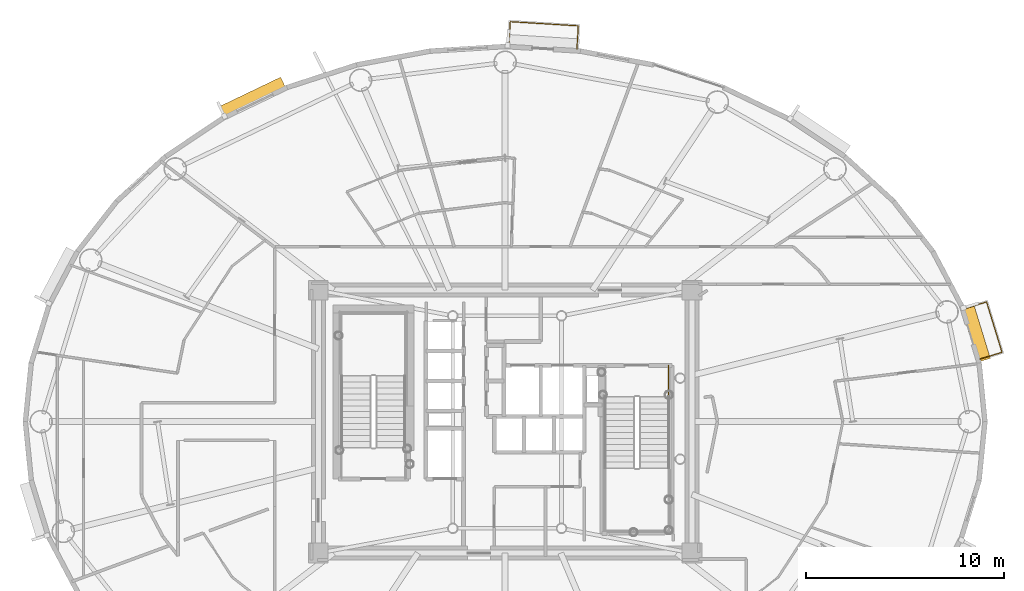
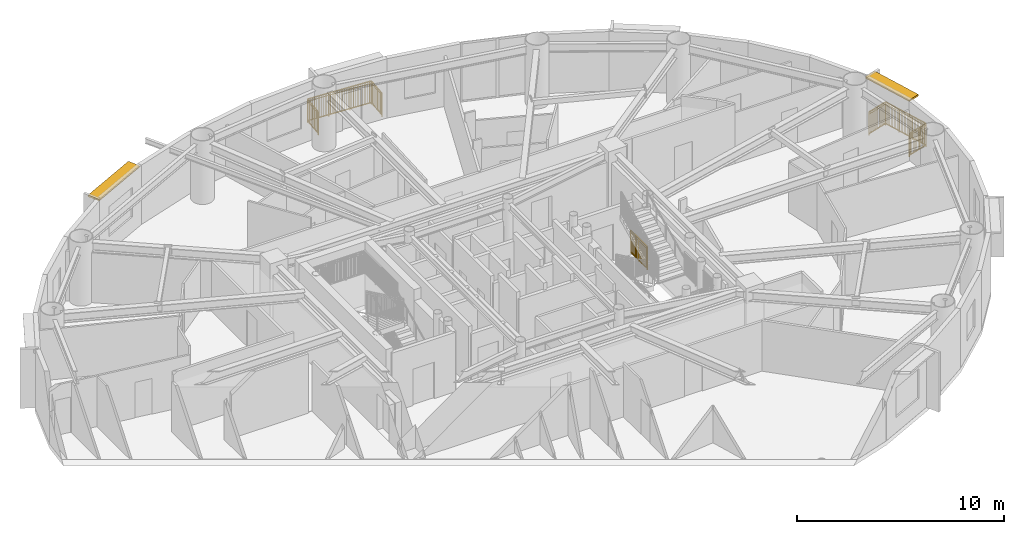
# One storey, part 21 of 22: 3 railings, 2 shading devices.
"""IFC4 building model written with IfcOpenShell, lengths in metres."""

from ifc_helpers import new_model, si_unit, direction, frame, origin, origin_2d, place, context, subcontext, project, spatial, rectangle, extrude, source, transform, mapped, material, layer, layer_set, type_object, element, save


model = new_model("IFC4")

# Units and contexts
model_context = context("Model", 3, precision=1e-05, world=origin(), true_north=direction((0.0, 1.0)))
body_context = subcontext(model_context, "Body", "Model", "MODEL_VIEW")
ifc_project = project(units=[si_unit("LENGTHUNIT", "METRE"), si_unit("AREAUNIT", "SQUARE_METRE"), si_unit("VOLUMEUNIT", "CUBIC_METRE"), si_unit("PLANEANGLEUNIT", "RADIAN"), si_unit("MASSUNIT", "GRAM", prefix="KILO")], contexts=[model_context])

# Site, building, storey
site_placement = place(None, origin())
site = spatial("IfcSite", under=ifc_project, at=site_placement, CompositionType="ELEMENT")
building_placement = place(site_placement, origin())
building = spatial("IfcBuilding", under=site, at=building_placement, Name="Linh Dai School and Residence Tower", CompositionType="ELEMENT")
storey_placement = place(building_placement, frame((0.0, 0.0, 214.050048828125)))
storey = spatial("IfcBuildingStorey", under=building, at=storey_placement, Name="L52", CompositionType="ELEMENT", Elevation=214.050048828125)

# Railing
ifc_material_1 = material(Name="Structural Steel S355JR", Category="steel")
railing_type_1 = type_object("IfcRailingType", Name="RL-BAL-1400", PredefinedType="BALUSTRADE", material=ifc_material_1)
shared_shape_1 = source(origin(), body_context, "Body", "SweptSolid", [
    extrude(rectangle(XDim=0.048095703125, YDim=0.048095703125, at=origin_2d()), frame((0.0, 0.0, 1.3759765625), z_axis=(0.95606039398, 0.293169785386, 0.0), x_axis=(-0.293169785386, 0.95606039398, 0.0)), (0.0, 0.0, 1.0), 1.179931640625),
    extrude(rectangle(XDim=0.048095703125, YDim=0.048095703125, at=origin_2d()), frame((0.0, 0.0, 0.10009765625), z_axis=(0.95606039398, 0.293169785386, 0.0), x_axis=(-0.293169785386, 0.95606039398, 0.0)), (0.0, 0.0, 1.0), 1.179931640625),
    extrude(rectangle(XDim=0.030029296875, YDim=0.030029296875, at=origin_2d()), frame((0.0, 0.0, 1.239990234375), z_axis=(0.95606039398, 0.293169785386, 0.0), x_axis=(-0.293169785386, 0.95606039398, 0.0)), (0.0, 0.0, 1.0), 1.179931640625),
    extrude(rectangle(XDim=0.02001953125, YDim=0.02001953125, at=origin_2d()), frame((0.086669921875, 0.026611328125, 0.10009765625)), (0.0, 0.0, 1.0), 1.251708984375),
    extrude(rectangle(XDim=0.02001953125, YDim=0.02001953125, at=origin_2d()), frame((0.173583984375, 0.05322265625, 0.10009765625)), (0.0, 0.0, 1.0), 1.251708984375),
    extrude(rectangle(XDim=0.02001953125, YDim=0.02001953125, at=origin_2d()), frame((0.26025390625, 0.079833984375, 0.10009765625)), (0.0, 0.0, 1.0), 1.251708984375),
    extrude(rectangle(XDim=0.02001953125, YDim=0.02001953125, at=origin_2d()), frame((0.34716796875, 0.1064453125, 0.10009765625)), (0.0, 0.0, 1.0), 1.251708984375),
    extrude(rectangle(XDim=0.02001953125, YDim=0.02001953125, at=origin_2d()), frame((0.433837890625, 0.133056640625, 0.10009765625)), (0.0, 0.0, 1.0), 1.251708984375),
    extrude(rectangle(XDim=0.02001953125, YDim=0.02001953125, at=origin_2d()), frame((0.520751953125, 0.15966796875, 0.10009765625)), (0.0, 0.0, 1.0), 1.251708984375),
    extrude(rectangle(XDim=0.02001953125, YDim=0.02001953125, at=origin_2d()), frame((0.607421875, 0.186279296875, 0.10009765625)), (0.0, 0.0, 1.0), 1.251708984375),
    extrude(rectangle(XDim=0.02001953125, YDim=0.02001953125, at=origin_2d()), frame((0.6943359375, 0.212890625, 0.10009765625)), (0.0, 0.0, 1.0), 1.251708984375),
    extrude(rectangle(XDim=0.02001953125, YDim=0.02001953125, at=origin_2d()), frame((0.781005859375, 0.239501953125, 0.10009765625)), (0.0, 0.0, 1.0), 1.251708984375),
    extrude(rectangle(XDim=0.02001953125, YDim=0.02001953125, at=origin_2d()), frame((0.867919921875, 0.26611328125, 0.10009765625)), (0.0, 0.0, 1.0), 1.251708984375),
    extrude(rectangle(XDim=0.02001953125, YDim=0.02001953125, at=origin_2d()), frame((0.95458984375, 0.292724609375, 0.10009765625)), (0.0, 0.0, 1.0), 1.251708984375),
    extrude(rectangle(XDim=0.02001953125, YDim=0.02001953125, at=origin_2d()), frame((1.04150390625, 0.3193359375, 0.10009765625)), (0.0, 0.0, 1.0), 1.251708984375),
    extrude(rectangle(XDim=0.048095703125, YDim=0.048095703125, at=origin_2d()), frame((1.128173828125, 0.345947265625, 1.3759765625), z_axis=(0.293158695178, -0.95606379465, 0.0), x_axis=(0.95606379465, 0.293158695178, 0.0)), (0.0, 0.0, 1.0), 2.6650390625),
    extrude(rectangle(XDim=0.048095703125, YDim=0.048095703125, at=origin_2d()), frame((1.128173828125, 0.345947265625, 0.10009765625), z_axis=(0.293158695178, -0.95606379465, 0.0), x_axis=(0.95606379465, 0.293158695178, 0.0)), (0.0, 0.0, 1.0), 2.6650390625),
    extrude(rectangle(XDim=0.030029296875, YDim=0.030029296875, at=origin_2d()), frame((1.128173828125, 0.345947265625, 1.239990234375), z_axis=(0.293158695178, -0.95606379465, 0.0), x_axis=(0.95606379465, 0.293158695178, 0.0)), (0.0, 0.0, 1.0), 2.6650390625),
    extrude(rectangle(XDim=0.02001953125, YDim=0.02001953125, at=origin_2d()), frame((1.156005859375, 0.2548828125, 0.10009765625)), (0.0, 0.0, 1.0), 1.251708984375),
    extrude(rectangle(XDim=0.02001953125, YDim=0.02001953125, at=origin_2d()), frame((1.18408203125, 0.1640625, 0.10009765625)), (0.0, 0.0, 1.0), 1.251708984375),
    extrude(rectangle(XDim=0.02001953125, YDim=0.02001953125, at=origin_2d()), frame((1.2119140625, 0.072998046875, 0.10009765625)), (0.0, 0.0, 1.0), 1.251708984375),
    extrude(rectangle(XDim=0.02001953125, YDim=0.02001953125, at=origin_2d()), frame((1.23974609375, -0.01806640625, 0.10009765625)), (0.0, 0.0, 1.0), 1.251708984375),
    extrude(rectangle(XDim=0.02001953125, YDim=0.02001953125, at=origin_2d()), frame((1.267578125, -0.109130859375, 0.10009765625)), (0.0, 0.0, 1.0), 1.251708984375),
    extrude(rectangle(XDim=0.02001953125, YDim=0.02001953125, at=origin_2d()), frame((1.295654296875, -0.199951171875, 0.10009765625)), (0.0, 0.0, 1.0), 1.251708984375),
    extrude(rectangle(XDim=0.02001953125, YDim=0.02001953125, at=origin_2d()), frame((1.323486328125, -0.291015625, 0.10009765625)), (0.0, 0.0, 1.0), 1.251708984375),
    extrude(rectangle(XDim=0.02001953125, YDim=0.02001953125, at=origin_2d()), frame((1.351318359375, -0.382080078125, 0.10009765625)), (0.0, 0.0, 1.0), 1.251708984375),
    extrude(rectangle(XDim=0.02001953125, YDim=0.02001953125, at=origin_2d()), frame((1.4072265625, -0.56396484375, 0.10009765625)), (0.0, 0.0, 1.0), 1.251708984375),
    extrude(rectangle(XDim=0.02001953125, YDim=0.02001953125, at=origin_2d()), frame((1.43505859375, -0.655029296875, 0.10009765625)), (0.0, 0.0, 1.0), 1.251708984375),
    extrude(rectangle(XDim=0.02001953125, YDim=0.02001953125, at=origin_2d()), frame((1.462890625, -0.74609375, 0.10009765625)), (0.0, 0.0, 1.0), 1.251708984375),
    extrude(rectangle(XDim=0.02001953125, YDim=0.02001953125, at=origin_2d()), frame((1.490966796875, -0.8369140625, 0.10009765625)), (0.0, 0.0, 1.0), 1.251708984375),
    extrude(rectangle(XDim=0.02001953125, YDim=0.02001953125, at=origin_2d()), frame((1.518798828125, -0.927978515625, 0.10009765625)), (0.0, 0.0, 1.0), 1.251708984375),
    extrude(rectangle(XDim=0.02001953125, YDim=0.02001953125, at=origin_2d()), frame((1.546630859375, -1.01904296875, 0.10009765625)), (0.0, 0.0, 1.0), 1.251708984375),
    extrude(rectangle(XDim=0.02001953125, YDim=0.02001953125, at=origin_2d()), frame((1.57470703125, -1.10986328125, 0.10009765625)), (0.0, 0.0, 1.0), 1.251708984375),
    extrude(rectangle(XDim=0.02001953125, YDim=0.02001953125, at=origin_2d()), frame((1.6025390625, -1.200927734375, 0.10009765625)), (0.0, 0.0, 1.0), 1.251708984375),
    extrude(rectangle(XDim=0.02001953125, YDim=0.02001953125, at=origin_2d()), frame((1.63037109375, -1.2919921875, 0.10009765625)), (0.0, 0.0, 1.0), 1.251708984375),
    extrude(rectangle(XDim=0.02001953125, YDim=0.02001953125, at=origin_2d()), frame((1.686279296875, -1.473876953125, 0.10009765625)), (0.0, 0.0, 1.0), 1.251708984375),
    extrude(rectangle(XDim=0.02001953125, YDim=0.02001953125, at=origin_2d()), frame((1.714111328125, -1.56494140625, 0.10009765625)), (0.0, 0.0, 1.0), 1.251708984375),
    extrude(rectangle(XDim=0.02001953125, YDim=0.02001953125, at=origin_2d()), frame((1.741943359375, -1.656005859375, 0.10009765625)), (0.0, 0.0, 1.0), 1.251708984375),
    extrude(rectangle(XDim=0.02001953125, YDim=0.02001953125, at=origin_2d()), frame((1.77001953125, -1.746826171875, 0.10009765625)), (0.0, 0.0, 1.0), 1.251708984375),
    extrude(rectangle(XDim=0.02001953125, YDim=0.02001953125, at=origin_2d()), frame((1.7978515625, -1.837890625, 0.10009765625)), (0.0, 0.0, 1.0), 1.251708984375),
    extrude(rectangle(XDim=0.02001953125, YDim=0.02001953125, at=origin_2d()), frame((1.82568359375, -1.928955078125, 0.10009765625)), (0.0, 0.0, 1.0), 1.251708984375),
    extrude(rectangle(XDim=0.02001953125, YDim=0.02001953125, at=origin_2d()), frame((1.853515625, -2.02001953125, 0.10009765625)), (0.0, 0.0, 1.0), 1.251708984375),
    extrude(rectangle(XDim=0.02001953125, YDim=0.02001953125, at=origin_2d()), frame((1.881591796875, -2.11083984375, 0.10009765625)), (0.0, 0.0, 1.0), 1.251708984375),
    extrude(rectangle(XDim=0.048095703125, YDim=0.048095703125, at=origin_2d()), frame((1.909423828125, -2.201904296875, 1.3759765625), z_axis=(-0.95606039398, -0.293169785386, 0.0), x_axis=(0.293169785386, -0.95606039398, 0.0)), (0.0, 0.0, 1.0), 1.179931640625),
    extrude(rectangle(XDim=0.048095703125, YDim=0.048095703125, at=origin_2d()), frame((1.909423828125, -2.201904296875, 0.10009765625), z_axis=(-0.95606039398, -0.293169785386, 0.0), x_axis=(0.293169785386, -0.95606039398, 0.0)), (0.0, 0.0, 1.0), 1.179931640625),
    extrude(rectangle(XDim=0.030029296875, YDim=0.030029296875, at=origin_2d()), frame((1.909423828125, -2.201904296875, 1.239990234375), z_axis=(-0.95606039398, -0.293169785386, 0.0), x_axis=(0.293169785386, -0.95606039398, 0.0)), (0.0, 0.0, 1.0), 1.179931640625),
    extrude(rectangle(XDim=0.02001953125, YDim=0.02001953125, at=origin_2d()), frame((1.82275390625, -2.228515625, 0.10009765625)), (0.0, 0.0, 1.0), 1.251708984375),
    extrude(rectangle(XDim=0.02001953125, YDim=0.02001953125, at=origin_2d()), frame((1.73583984375, -2.255126953125, 0.10009765625)), (0.0, 0.0, 1.0), 1.251708984375),
    extrude(rectangle(XDim=0.02001953125, YDim=0.02001953125, at=origin_2d()), frame((1.649169921875, -2.28173828125, 0.10009765625)), (0.0, 0.0, 1.0), 1.251708984375),
    extrude(rectangle(XDim=0.02001953125, YDim=0.02001953125, at=origin_2d()), frame((1.562255859375, -2.308349609375, 0.10009765625)), (0.0, 0.0, 1.0), 1.251708984375),
    extrude(rectangle(XDim=0.02001953125, YDim=0.02001953125, at=origin_2d()), frame((1.4755859375, -2.3349609375, 0.10009765625)), (0.0, 0.0, 1.0), 1.251708984375),
    extrude(rectangle(XDim=0.02001953125, YDim=0.02001953125, at=origin_2d()), frame((1.388671875, -2.361572265625, 0.10009765625)), (0.0, 0.0, 1.0), 1.251708984375),
    extrude(rectangle(XDim=0.02001953125, YDim=0.02001953125, at=origin_2d()), frame((1.302001953125, -2.38818359375, 0.10009765625)), (0.0, 0.0, 1.0), 1.251708984375),
    extrude(rectangle(XDim=0.02001953125, YDim=0.02001953125, at=origin_2d()), frame((1.215087890625, -2.414794921875, 0.10009765625)), (0.0, 0.0, 1.0), 1.251708984375),
    extrude(rectangle(XDim=0.02001953125, YDim=0.02001953125, at=origin_2d()), frame((1.12841796875, -2.44140625, 0.10009765625)), (0.0, 0.0, 1.0), 1.251708984375),
    extrude(rectangle(XDim=0.02001953125, YDim=0.02001953125, at=origin_2d()), frame((1.04150390625, -2.468017578125, 0.10009765625)), (0.0, 0.0, 1.0), 1.251708984375),
    extrude(rectangle(XDim=0.02001953125, YDim=0.02001953125, at=origin_2d()), frame((0.954833984375, -2.49462890625, 0.10009765625)), (0.0, 0.0, 1.0), 1.251708984375),
    extrude(rectangle(XDim=0.02001953125, YDim=0.02001953125, at=origin_2d()), frame((0.867919921875, -2.521240234375, 0.10009765625)), (0.0, 0.0, 1.0), 1.251708984375),
    extrude(rectangle(XDim=0.0419921875, YDim=0.0419921875, at=origin_2d()), origin(), (0.0, 0.0, 1.0), 1.3759765625),
    extrude(rectangle(XDim=0.0419921875, YDim=0.0419921875, at=origin_2d()), frame((1.128173828125, 0.345947265625, 0.0)), (0.0, 0.0, 1.0), 1.3759765625),
    extrude(rectangle(XDim=0.0419921875, YDim=0.0419921875, at=origin_2d()), frame((1.388671875, -0.50341796875, 0.0)), (0.0, 0.0, 1.0), 1.3759765625),
    extrude(rectangle(XDim=0.0419921875, YDim=0.0419921875, at=origin_2d()), frame((1.64892578125, -1.3525390625, 0.0)), (0.0, 0.0, 1.0), 1.3759765625),
    extrude(rectangle(XDim=0.0419921875, YDim=0.0419921875, at=origin_2d()), frame((1.909423828125, -2.201904296875, 0.0)), (0.0, 0.0, 1.0), 1.3759765625),
    extrude(rectangle(XDim=0.0419921875, YDim=0.0419921875, at=origin_2d()), frame((0.78125, -2.5478515625, 0.0)), (0.0, 0.0, 1.0), 1.3759765625),
])
railing_1_placement = place(storey_placement, frame((59.224365234375, 32.708740234375, 0.0)))
element("IfcRailing", 1, at=railing_1_placement, inside=storey, type_object=railing_type_1, Name="L52 Balcony Safety Balustrade 02", PredefinedType="BALUSTRADE", context=body_context, shape_type="MappedRepresentation", body=[
    mapped(shared_shape_1, transform((0.0, 0.0, 0.0), x_axis=(1.0, 0.0, 0.0), y_axis=(0.0, 1.0, 0.0), z_axis=(0.0, 0.0, 1.0), scale=1.0)),
])

# Shading device
ifc_material_2 = material(Name="Terracotta Ceramic Sunshade", Category="masonry")
ifc_layer = layer(ifc_material_2, 0.10009765625)
ifc_layer_set = layer_set([ifc_layer], Name="Terracotta Ceramic Sunshade")
shading_device_type = type_object("IfcShadingDeviceType", Name="SHD-TC-650", PredefinedType="USERDEFINED", material=ifc_layer_set)
shared_shape_2 = source(origin(), body_context, "Body", "SweptSolid", [
    extrude(rectangle(XDim=2.90380859375, YDim=0.64990234375, at=origin_2d()), origin(), (0.0, 0.0, 1.0), 0.10009765625),
])
shading_device_1_placement = place(storey_placement, frame((59.80615234375, 31.493408203125, 3.3798828125), z_axis=(0.0, 0.0, 1.0), x_axis=(0.2931574026, -0.956064190994, 0.0)))
element("IfcShadingDevice", 2, at=shading_device_1_placement, inside=storey, type_object=shading_device_type, Name="L52 Terracotta Horizontal Sunshade Band 02", ObjectType="SUNSHADE", PredefinedType="USERDEFINED", context=body_context, shape_type="MappedRepresentation", body=[
    mapped(shared_shape_2, transform((0.0, 0.0, 0.0), x_axis=(1.0, 0.0, 0.0), y_axis=(0.0, 1.0, 0.0), z_axis=(0.0, 0.0, 1.0), scale=1.0)),
])

# Railing
shared_shape_3 = source(origin(), body_context, "Body", "SweptSolid", [
    extrude(rectangle(XDim=0.048095703125, YDim=0.048095703125, at=origin_2d()), frame((0.0, 0.0, 1.3759765625), z_axis=(0.061656929038, 0.99809740161, 0.0), x_axis=(-0.99809740161, 0.061656929038, 0.0)), (0.0, 0.0, 1.0), 1.179931640625),
    extrude(rectangle(XDim=0.048095703125, YDim=0.048095703125, at=origin_2d()), frame((0.0, 0.0, 0.10009765625), z_axis=(0.061656929038, 0.99809740161, 0.0), x_axis=(-0.99809740161, 0.061656929038, 0.0)), (0.0, 0.0, 1.0), 1.179931640625),
    extrude(rectangle(XDim=0.030029296875, YDim=0.030029296875, at=origin_2d()), frame((0.0, 0.0, 1.239990234375), z_axis=(0.061656929038, 0.99809740161, 0.0), x_axis=(-0.99809740161, 0.061656929038, 0.0)), (0.0, 0.0, 1.0), 1.179931640625),
    extrude(rectangle(XDim=0.02001953125, YDim=0.02001953125, at=origin_2d()), frame((0.005615234375, 0.090576171875, 0.10009765625)), (0.0, 0.0, 1.0), 1.251708984375),
    extrude(rectangle(XDim=0.02001953125, YDim=0.02001953125, at=origin_2d()), frame((0.01123046875, 0.18115234375, 0.10009765625)), (0.0, 0.0, 1.0), 1.251708984375),
    extrude(rectangle(XDim=0.02001953125, YDim=0.02001953125, at=origin_2d()), frame((0.016845703125, 0.271728515625, 0.10009765625)), (0.0, 0.0, 1.0), 1.251708984375),
    extrude(rectangle(XDim=0.02001953125, YDim=0.02001953125, at=origin_2d()), frame((0.0224609375, 0.3623046875, 0.10009765625)), (0.0, 0.0, 1.0), 1.251708984375),
    extrude(rectangle(XDim=0.02001953125, YDim=0.02001953125, at=origin_2d()), frame((0.028076171875, 0.452880859375, 0.10009765625)), (0.0, 0.0, 1.0), 1.251708984375),
    extrude(rectangle(XDim=0.02001953125, YDim=0.02001953125, at=origin_2d()), frame((0.03369140625, 0.54345703125, 0.10009765625)), (0.0, 0.0, 1.0), 1.251708984375),
    extrude(rectangle(XDim=0.02001953125, YDim=0.02001953125, at=origin_2d()), frame((0.0390625, 0.63427734375, 0.10009765625)), (0.0, 0.0, 1.0), 1.251708984375),
    extrude(rectangle(XDim=0.02001953125, YDim=0.02001953125, at=origin_2d()), frame((0.044677734375, 0.724853515625, 0.10009765625)), (0.0, 0.0, 1.0), 1.251708984375),
    extrude(rectangle(XDim=0.02001953125, YDim=0.02001953125, at=origin_2d()), frame((0.05029296875, 0.8154296875, 0.10009765625)), (0.0, 0.0, 1.0), 1.251708984375),
    extrude(rectangle(XDim=0.02001953125, YDim=0.02001953125, at=origin_2d()), frame((0.055908203125, 0.906005859375, 0.10009765625)), (0.0, 0.0, 1.0), 1.251708984375),
    extrude(rectangle(XDim=0.02001953125, YDim=0.02001953125, at=origin_2d()), frame((0.0615234375, 0.99658203125, 0.10009765625)), (0.0, 0.0, 1.0), 1.251708984375),
    extrude(rectangle(XDim=0.02001953125, YDim=0.02001953125, at=origin_2d()), frame((0.067138671875, 1.087158203125, 0.10009765625)), (0.0, 0.0, 1.0), 1.251708984375),
    extrude(rectangle(XDim=0.048095703125, YDim=0.048095703125, at=origin_2d()), frame((0.07275390625, 1.177734375, 1.3759765625), z_axis=(0.998110267101, -0.061448309231, 0.0), x_axis=(0.061448309231, 0.998110267101, 0.0)), (0.0, 0.0, 1.0), 3.44873046875),
    extrude(rectangle(XDim=0.048095703125, YDim=0.048095703125, at=origin_2d()), frame((0.07275390625, 1.177734375, 0.10009765625), z_axis=(0.998110267101, -0.061448309231, 0.0), x_axis=(0.061448309231, 0.998110267101, 0.0)), (0.0, 0.0, 1.0), 3.44873046875),
    extrude(rectangle(XDim=0.030029296875, YDim=0.030029296875, at=origin_2d()), frame((0.07275390625, 1.177734375, 1.239990234375), z_axis=(0.998110267101, -0.061448309231, 0.0), x_axis=(0.061448309231, 0.998110267101, 0.0)), (0.0, 0.0, 1.0), 3.44873046875),
    extrude(rectangle(XDim=0.02001953125, YDim=0.02001953125, at=origin_2d()), frame((0.16845703125, 1.171875, 0.10009765625)), (0.0, 0.0, 1.0), 1.251708984375),
    extrude(rectangle(XDim=0.02001953125, YDim=0.02001953125, at=origin_2d()), frame((0.263916015625, 1.166015625, 0.10009765625)), (0.0, 0.0, 1.0), 1.251708984375),
    extrude(rectangle(XDim=0.02001953125, YDim=0.02001953125, at=origin_2d()), frame((0.359619140625, 1.16015625, 0.10009765625)), (0.0, 0.0, 1.0), 1.251708984375),
    extrude(rectangle(XDim=0.02001953125, YDim=0.02001953125, at=origin_2d()), frame((0.455322265625, 1.154296875, 0.10009765625)), (0.0, 0.0, 1.0), 1.251708984375),
    extrude(rectangle(XDim=0.02001953125, YDim=0.02001953125, at=origin_2d()), frame((0.55078125, 1.148193359375, 0.10009765625)), (0.0, 0.0, 1.0), 1.251708984375),
    extrude(rectangle(XDim=0.02001953125, YDim=0.02001953125, at=origin_2d()), frame((0.646484375, 1.142333984375, 0.10009765625)), (0.0, 0.0, 1.0), 1.251708984375),
    extrude(rectangle(XDim=0.02001953125, YDim=0.02001953125, at=origin_2d()), frame((0.741943359375, 1.136474609375, 0.10009765625)), (0.0, 0.0, 1.0), 1.251708984375),
    extrude(rectangle(XDim=0.02001953125, YDim=0.02001953125, at=origin_2d()), frame((0.837646484375, 1.130615234375, 0.10009765625)), (0.0, 0.0, 1.0), 1.251708984375),
    extrude(rectangle(XDim=0.02001953125, YDim=0.02001953125, at=origin_2d()), frame((0.933349609375, 1.124755859375, 0.10009765625)), (0.0, 0.0, 1.0), 1.251708984375),
    extrude(rectangle(XDim=0.02001953125, YDim=0.02001953125, at=origin_2d()), frame((1.02880859375, 1.118896484375, 0.10009765625)), (0.0, 0.0, 1.0), 1.251708984375),
    extrude(rectangle(XDim=0.02001953125, YDim=0.02001953125, at=origin_2d()), frame((1.12451171875, 1.113037109375, 0.10009765625)), (0.0, 0.0, 1.0), 1.251708984375),
    extrude(rectangle(XDim=0.02001953125, YDim=0.02001953125, at=origin_2d()), frame((1.315673828125, 1.101318359375, 0.10009765625)), (0.0, 0.0, 1.0), 1.251708984375),
    extrude(rectangle(XDim=0.02001953125, YDim=0.02001953125, at=origin_2d()), frame((1.411376953125, 1.09521484375, 0.10009765625)), (0.0, 0.0, 1.0), 1.251708984375),
    extrude(rectangle(XDim=0.02001953125, YDim=0.02001953125, at=origin_2d()), frame((1.507080078125, 1.08935546875, 0.10009765625)), (0.0, 0.0, 1.0), 1.251708984375),
    extrude(rectangle(XDim=0.02001953125, YDim=0.02001953125, at=origin_2d()), frame((1.6025390625, 1.08349609375, 0.10009765625)), (0.0, 0.0, 1.0), 1.251708984375),
    extrude(rectangle(XDim=0.02001953125, YDim=0.02001953125, at=origin_2d()), frame((1.6982421875, 1.07763671875, 0.10009765625)), (0.0, 0.0, 1.0), 1.251708984375),
    extrude(rectangle(XDim=0.02001953125, YDim=0.02001953125, at=origin_2d()), frame((1.7939453125, 1.07177734375, 0.10009765625)), (0.0, 0.0, 1.0), 1.251708984375),
    extrude(rectangle(XDim=0.02001953125, YDim=0.02001953125, at=origin_2d()), frame((1.889404296875, 1.06591796875, 0.10009765625)), (0.0, 0.0, 1.0), 1.251708984375),
    extrude(rectangle(XDim=0.02001953125, YDim=0.02001953125, at=origin_2d()), frame((1.985107421875, 1.06005859375, 0.10009765625)), (0.0, 0.0, 1.0), 1.251708984375),
    extrude(rectangle(XDim=0.02001953125, YDim=0.02001953125, at=origin_2d()), frame((2.08056640625, 1.05419921875, 0.10009765625)), (0.0, 0.0, 1.0), 1.251708984375),
    extrude(rectangle(XDim=0.02001953125, YDim=0.02001953125, at=origin_2d()), frame((2.17626953125, 1.04833984375, 0.10009765625)), (0.0, 0.0, 1.0), 1.251708984375),
    extrude(rectangle(XDim=0.02001953125, YDim=0.02001953125, at=origin_2d()), frame((2.27197265625, 1.042236328125, 0.10009765625)), (0.0, 0.0, 1.0), 1.251708984375),
    extrude(rectangle(XDim=0.02001953125, YDim=0.02001953125, at=origin_2d()), frame((2.463134765625, 1.030517578125, 0.10009765625)), (0.0, 0.0, 1.0), 1.251708984375),
    extrude(rectangle(XDim=0.02001953125, YDim=0.02001953125, at=origin_2d()), frame((2.558837890625, 1.024658203125, 0.10009765625)), (0.0, 0.0, 1.0), 1.251708984375),
    extrude(rectangle(XDim=0.02001953125, YDim=0.02001953125, at=origin_2d()), frame((2.654296875, 1.018798828125, 0.10009765625)), (0.0, 0.0, 1.0), 1.251708984375),
    extrude(rectangle(XDim=0.02001953125, YDim=0.02001953125, at=origin_2d()), frame((2.75, 1.012939453125, 0.10009765625)), (0.0, 0.0, 1.0), 1.251708984375),
    extrude(rectangle(XDim=0.02001953125, YDim=0.02001953125, at=origin_2d()), frame((2.845703125, 1.007080078125, 0.10009765625)), (0.0, 0.0, 1.0), 1.251708984375),
    extrude(rectangle(XDim=0.02001953125, YDim=0.02001953125, at=origin_2d()), frame((2.941162109375, 1.001220703125, 0.10009765625)), (0.0, 0.0, 1.0), 1.251708984375),
    extrude(rectangle(XDim=0.02001953125, YDim=0.02001953125, at=origin_2d()), frame((3.036865234375, 0.995361328125, 0.10009765625)), (0.0, 0.0, 1.0), 1.251708984375),
    extrude(rectangle(XDim=0.02001953125, YDim=0.02001953125, at=origin_2d()), frame((3.13232421875, 0.9892578125, 0.10009765625)), (0.0, 0.0, 1.0), 1.251708984375),
    extrude(rectangle(XDim=0.02001953125, YDim=0.02001953125, at=origin_2d()), frame((3.22802734375, 0.9833984375, 0.10009765625)), (0.0, 0.0, 1.0), 1.251708984375),
    extrude(rectangle(XDim=0.02001953125, YDim=0.02001953125, at=origin_2d()), frame((3.32373046875, 0.9775390625, 0.10009765625)), (0.0, 0.0, 1.0), 1.251708984375),
    extrude(rectangle(XDim=0.02001953125, YDim=0.02001953125, at=origin_2d()), frame((3.419189453125, 0.9716796875, 0.10009765625)), (0.0, 0.0, 1.0), 1.251708984375),
    extrude(rectangle(XDim=0.048095703125, YDim=0.048095703125, at=origin_2d()), frame((3.514892578125, 0.9658203125, 1.3759765625), z_axis=(-0.061438121367, -0.998110894261, 0.0), x_axis=(0.998110894261, -0.061438121367, 0.0)), (0.0, 0.0, 1.0), 1.18017578125),
    extrude(rectangle(XDim=0.048095703125, YDim=0.048095703125, at=origin_2d()), frame((3.514892578125, 0.9658203125, 0.10009765625), z_axis=(-0.061438121367, -0.998110894261, 0.0), x_axis=(0.998110894261, -0.061438121367, 0.0)), (0.0, 0.0, 1.0), 1.18017578125),
    extrude(rectangle(XDim=0.030029296875, YDim=0.030029296875, at=origin_2d()), frame((3.514892578125, 0.9658203125, 1.239990234375), z_axis=(-0.061438121367, -0.998110894261, 0.0), x_axis=(0.998110894261, -0.061438121367, 0.0)), (0.0, 0.0, 1.0), 1.18017578125),
    extrude(rectangle(XDim=0.02001953125, YDim=0.02001953125, at=origin_2d()), frame((3.50927734375, 0.875244140625, 0.10009765625)), (0.0, 0.0, 1.0), 1.251708984375),
    extrude(rectangle(XDim=0.02001953125, YDim=0.02001953125, at=origin_2d()), frame((3.503662109375, 0.78466796875, 0.10009765625)), (0.0, 0.0, 1.0), 1.251708984375),
    extrude(rectangle(XDim=0.02001953125, YDim=0.02001953125, at=origin_2d()), frame((3.498046875, 0.694091796875, 0.10009765625)), (0.0, 0.0, 1.0), 1.251708984375),
    extrude(rectangle(XDim=0.02001953125, YDim=0.02001953125, at=origin_2d()), frame((3.49267578125, 0.603271484375, 0.10009765625)), (0.0, 0.0, 1.0), 1.251708984375),
    extrude(rectangle(XDim=0.02001953125, YDim=0.02001953125, at=origin_2d()), frame((3.487060546875, 0.5126953125, 0.10009765625)), (0.0, 0.0, 1.0), 1.251708984375),
    extrude(rectangle(XDim=0.02001953125, YDim=0.02001953125, at=origin_2d()), frame((3.4814453125, 0.422119140625, 0.10009765625)), (0.0, 0.0, 1.0), 1.251708984375),
    extrude(rectangle(XDim=0.02001953125, YDim=0.02001953125, at=origin_2d()), frame((3.475830078125, 0.33154296875, 0.10009765625)), (0.0, 0.0, 1.0), 1.251708984375),
    extrude(rectangle(XDim=0.02001953125, YDim=0.02001953125, at=origin_2d()), frame((3.47021484375, 0.240966796875, 0.10009765625)), (0.0, 0.0, 1.0), 1.251708984375),
    extrude(rectangle(XDim=0.02001953125, YDim=0.02001953125, at=origin_2d()), frame((3.464599609375, 0.150390625, 0.10009765625)), (0.0, 0.0, 1.0), 1.251708984375),
    extrude(rectangle(XDim=0.02001953125, YDim=0.02001953125, at=origin_2d()), frame((3.459228515625, 0.0595703125, 0.10009765625)), (0.0, 0.0, 1.0), 1.251708984375),
    extrude(rectangle(XDim=0.02001953125, YDim=0.02001953125, at=origin_2d()), frame((3.45361328125, -0.031005859375, 0.10009765625)), (0.0, 0.0, 1.0), 1.251708984375),
    extrude(rectangle(XDim=0.02001953125, YDim=0.02001953125, at=origin_2d()), frame((3.447998046875, -0.12158203125, 0.10009765625)), (0.0, 0.0, 1.0), 1.251708984375),
    extrude(rectangle(XDim=0.0419921875, YDim=0.0419921875, at=origin_2d()), origin(), (0.0, 0.0, 1.0), 1.3759765625),
    extrude(rectangle(XDim=0.0419921875, YDim=0.0419921875, at=origin_2d()), frame((0.07275390625, 1.177734375, 0.0)), (0.0, 0.0, 1.0), 1.3759765625),
    extrude(rectangle(XDim=0.0419921875, YDim=0.0419921875, at=origin_2d()), frame((1.22021484375, 1.107177734375, 0.0)), (0.0, 0.0, 1.0), 1.3759765625),
    extrude(rectangle(XDim=0.0419921875, YDim=0.0419921875, at=origin_2d()), frame((2.367431640625, 1.036376953125, 0.0)), (0.0, 0.0, 1.0), 1.3759765625),
    extrude(rectangle(XDim=0.0419921875, YDim=0.0419921875, at=origin_2d()), frame((3.514892578125, 0.9658203125, 0.0)), (0.0, 0.0, 1.0), 1.3759765625),
    extrude(rectangle(XDim=0.0419921875, YDim=0.0419921875, at=origin_2d()), frame((3.4423828125, -0.212158203125, 0.0)), (0.0, 0.0, 1.0), 1.3759765625),
])
railing_2_placement = place(storey_placement, frame((36.184814453125, 46.0537109375, 0.0)))
element("IfcRailing", 3, at=railing_2_placement, inside=storey, type_object=railing_type_1, Name="L52 Balcony Safety Balustrade 10", PredefinedType="BALUSTRADE", context=body_context, shape_type="MappedRepresentation", body=[
    mapped(shared_shape_3, transform((0.0, 0.0, 0.0), x_axis=(1.0, 0.0, 0.0), y_axis=(0.0, 1.0, 0.0), z_axis=(0.0, 0.0, 1.0), scale=1.0)),
])

# Shading device
shared_shape_4 = source(origin(), body_context, "Body", "SweptSolid", [
    extrude(rectangle(XDim=3.459716796875, YDim=0.64990234375, at=origin_2d()), origin(), (0.0, 0.0, 1.0), 0.10009765625),
])
shading_device_2_placement = place(storey_placement, frame((23.22119140625, 43.384033203125, 3.3798828125), z_axis=(0.0, 0.0, 1.0), x_axis=(0.901588864931, 0.432593941973, 0.0)))
element("IfcShadingDevice", 4, at=shading_device_2_placement, inside=storey, type_object=shading_device_type, Name="L52 Terracotta Horizontal Sunshade Band 14", ObjectType="SUNSHADE", PredefinedType="USERDEFINED", context=body_context, shape_type="MappedRepresentation", body=[
    mapped(shared_shape_4, transform((0.0, 0.0, 0.0), x_axis=(1.0, 0.0, 0.0), y_axis=(0.0, 1.0, 0.0), z_axis=(0.0, 0.0, 1.0), scale=1.0)),
])

# Railing
railing_type_2 = type_object("IfcRailingType", Name="RL-ST-GUARD-1400", PredefinedType="GUARDRAIL", material=ifc_material_1)
shared_shape_5 = source(origin(), body_context, "Body", "SweptSolid", [
    extrude(rectangle(XDim=0.048095703125, YDim=0.048095703125, at=origin_2d()), frame((0.0, 0.0, 1.3759765625), z_axis=(0.0, -1.0, 0.0), x_axis=(1.0, 0.0, 0.0)), (0.0, 0.0, 1.0), 1.60009765625),
    extrude(rectangle(XDim=0.048095703125, YDim=0.048095703125, at=origin_2d()), frame((0.0, 0.0, 0.10009765625), z_axis=(0.0, -1.0, 0.0), x_axis=(1.0, 0.0, 0.0)), (0.0, 0.0, 1.0), 1.60009765625),
    extrude(rectangle(XDim=0.030029296875, YDim=0.030029296875, at=origin_2d()), frame((0.0, 0.0, 1.239990234375), z_axis=(0.0, -1.0, 0.0), x_axis=(1.0, 0.0, 0.0)), (0.0, 0.0, 1.0), 1.60009765625),
    extrude(rectangle(XDim=0.02001953125, YDim=0.02001953125, at=origin_2d()), frame((0.0, -0.09423828125, 0.10009765625)), (0.0, 0.0, 1.0), 1.251708984375),
    extrude(rectangle(XDim=0.02001953125, YDim=0.02001953125, at=origin_2d()), frame((0.0, -0.188232421875, 0.10009765625)), (0.0, 0.0, 1.0), 1.251708984375),
    extrude(rectangle(XDim=0.02001953125, YDim=0.02001953125, at=origin_2d()), frame((0.0, -0.282470703125, 0.10009765625)), (0.0, 0.0, 1.0), 1.251708984375),
    extrude(rectangle(XDim=0.02001953125, YDim=0.02001953125, at=origin_2d()), frame((0.0, -0.37646484375, 0.10009765625)), (0.0, 0.0, 1.0), 1.251708984375),
    extrude(rectangle(XDim=0.02001953125, YDim=0.02001953125, at=origin_2d()), frame((0.0, -0.470703125, 0.10009765625)), (0.0, 0.0, 1.0), 1.251708984375),
    extrude(rectangle(XDim=0.02001953125, YDim=0.02001953125, at=origin_2d()), frame((0.0, -0.564697265625, 0.10009765625)), (0.0, 0.0, 1.0), 1.251708984375),
    extrude(rectangle(XDim=0.02001953125, YDim=0.02001953125, at=origin_2d()), frame((0.0, -0.658935546875, 0.10009765625)), (0.0, 0.0, 1.0), 1.251708984375),
    extrude(rectangle(XDim=0.02001953125, YDim=0.02001953125, at=origin_2d()), frame((0.0, -0.7529296875, 0.10009765625)), (0.0, 0.0, 1.0), 1.251708984375),
    extrude(rectangle(XDim=0.02001953125, YDim=0.02001953125, at=origin_2d()), frame((0.0, -0.84716796875, 0.10009765625)), (0.0, 0.0, 1.0), 1.251708984375),
    extrude(rectangle(XDim=0.02001953125, YDim=0.02001953125, at=origin_2d()), frame((0.0, -0.941162109375, 0.10009765625)), (0.0, 0.0, 1.0), 1.251708984375),
    extrude(rectangle(XDim=0.02001953125, YDim=0.02001953125, at=origin_2d()), frame((0.0, -1.035400390625, 0.10009765625)), (0.0, 0.0, 1.0), 1.251708984375),
    extrude(rectangle(XDim=0.02001953125, YDim=0.02001953125, at=origin_2d()), frame((0.0, -1.12939453125, 0.10009765625)), (0.0, 0.0, 1.0), 1.251708984375),
    extrude(rectangle(XDim=0.02001953125, YDim=0.02001953125, at=origin_2d()), frame((0.0, -1.2236328125, 0.10009765625)), (0.0, 0.0, 1.0), 1.251708984375),
    extrude(rectangle(XDim=0.02001953125, YDim=0.02001953125, at=origin_2d()), frame((0.0, -1.317626953125, 0.10009765625)), (0.0, 0.0, 1.0), 1.251708984375),
    extrude(rectangle(XDim=0.02001953125, YDim=0.02001953125, at=origin_2d()), frame((0.0, -1.411865234375, 0.10009765625)), (0.0, 0.0, 1.0), 1.251708984375),
    extrude(rectangle(XDim=0.02001953125, YDim=0.02001953125, at=origin_2d()), frame((0.0, -1.505859375, 0.10009765625)), (0.0, 0.0, 1.0), 1.251708984375),
    extrude(rectangle(XDim=0.0419921875, YDim=0.0419921875, at=origin_2d()), origin(), (0.0, 0.0, 1.0), 1.3759765625),
    extrude(rectangle(XDim=0.0419921875, YDim=0.0419921875, at=origin_2d()), frame((0.0, -0.800048828125, 0.0)), (0.0, 0.0, 1.0), 1.3759765625),
    extrude(rectangle(XDim=0.0419921875, YDim=0.0419921875, at=origin_2d()), frame((0.0, -1.60009765625, 0.0)), (0.0, 0.0, 1.0), 1.3759765625),
])
railing_3_placement = place(storey_placement, frame((44.27001953125, 29.85009765625, 0.0)))
element("IfcRailing", 5, at=railing_3_placement, inside=storey, type_object=railing_type_2, Name="L52 ST2 stair guard 9", PredefinedType="GUARDRAIL", context=body_context, shape_type="MappedRepresentation", body=[
    mapped(shared_shape_5, transform((0.0, 0.0, 0.0), x_axis=(1.0, 0.0, 0.0), y_axis=(0.0, 1.0, 0.0), z_axis=(0.0, 0.0, 1.0), scale=1.0)),
])

save(model, "model.ifc")
